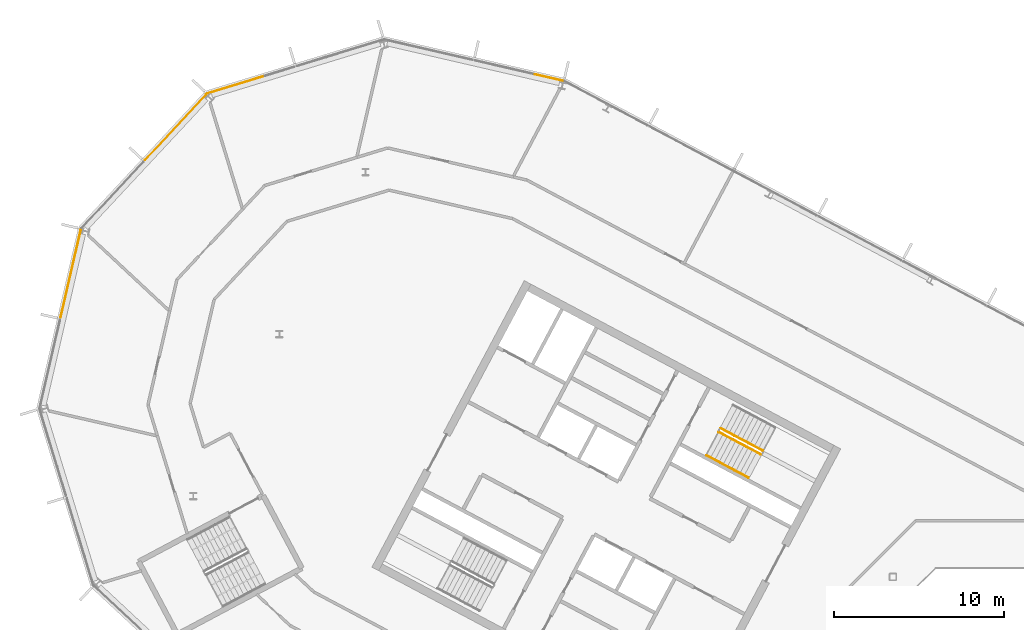
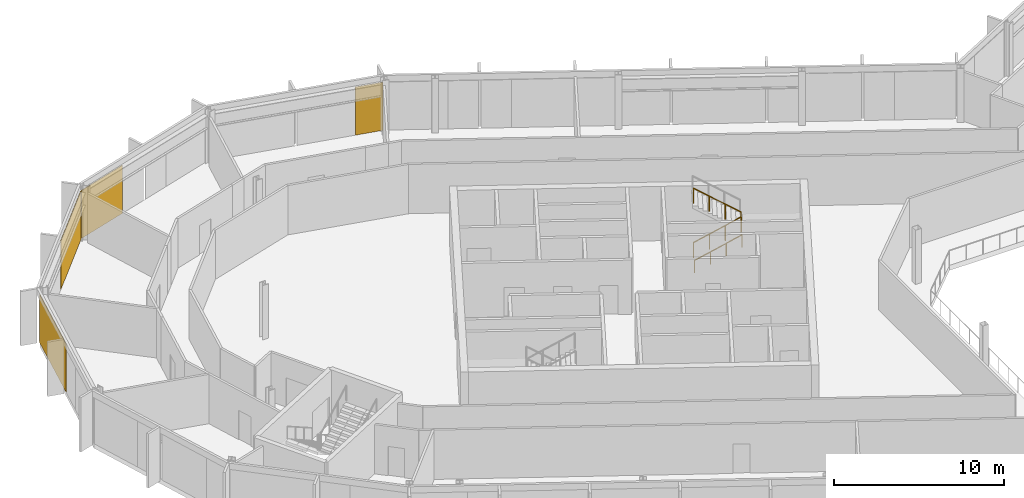
# One storey, part 21 of 25: 4 coverings, 3 railings, 4 elements without a shape of their own.
"""IFC4 building model written with IfcOpenShell, lengths in metres."""

import ifcopenshell
import ifcopenshell.guid

model = None  # the IFC model being written
_history = None  # IfcOwnerHistory: only IFC2X3 demands one
_inside = {}  # id of a spatial element -> (the spatial element, [elements in it])
_under = {}  # id of a project, library or spatial element -> (it, [spatial elements below it])
_declared = {}  # id of a project -> (the project, [libraries it declares])
_typed = {}  # id of a type object -> (the type object, [elements of that type])
_made_of = {}  # id of a material, layer set ... -> (it, [elements and type objects made of it])


def new_model(schema):
    """Start an empty IFC model of exactly this schema.

    Asked for "IFC4X3", IfcOpenShell would pick the latest addendum, in which some entities
    have other attributes; the version numbers below select the first issue.
    IFC2X3 requires an IfcOwnerHistory on every rooted entity: one is made here for all.
    """
    global model, _history
    if schema == "IFC4X3":
        model = ifcopenshell.file(schema_version=(4, 3, 0, 0))
    else:
        model = ifcopenshell.file(schema=schema)
    _inside.clear()
    _under.clear()
    _declared.clear()
    _typed.clear()
    _made_of.clear()
    _history = None
    if model.schema == "IFC2X3":
        org = make("IfcOrganization", Name="unknown")
        user = make(
            "IfcPersonAndOrganization",
            ThePerson=make("IfcPerson", FamilyName="unknown"),
            TheOrganization=org,
        )
        app = make(
            "IfcApplication",
            ApplicationDeveloper=org,
            Version="unknown",
            ApplicationFullName="unknown",
            ApplicationIdentifier="unknown",
        )
        _history = make(
            "IfcOwnerHistory",
            OwningUser=user,
            OwningApplication=app,
            ChangeAction="ADDED",
            CreationDate=0,
        )
    return model


def make(cls, **values):
    """One entity of the class cls with the attributes given. An attribute that is None is left unset."""
    return model.create_entity(
        cls, **{name: value for name, value in values.items() if value is not None}
    )


def rooted(cls, **values):
    """An entity with a GlobalId (a new one), such as an element, a storey or a relation."""
    return make(cls, GlobalId=ifcopenshell.guid.new(), OwnerHistory=_history, **values)


def si_unit(unit_type, name, prefix=None):
    """IfcSIUnit, for example si_unit("LENGTHUNIT", "METRE", prefix="MILLI")."""
    return make("IfcSIUnit", UnitType=unit_type, Prefix=prefix, Name=name)


def assignment(units):
    """IfcUnitAssignment: the units of a project."""
    return None if units is None else make("IfcUnitAssignment", Units=units)


def point(xyz):
    """IfcCartesianPoint."""
    return None if xyz is None else make("IfcCartesianPoint", Coordinates=xyz)


def direction(xyz):
    """IfcDirection."""
    return None if xyz is None else make("IfcDirection", DirectionRatios=xyz)


def frame(location, z_axis=None, x_axis=None):
    """IfcAxis2Placement3D, a coordinate frame: its origin and axes. An axis left out is left unset."""
    return make(
        "IfcAxis2Placement3D",
        Location=point(location),
        Axis=direction(z_axis),
        RefDirection=direction(x_axis),
    )


def frame_2d(location, x_axis=None):
    """IfcAxis2Placement2D, a coordinate frame in the plane: its origin and x axis."""
    return make(
        "IfcAxis2Placement2D", Location=point(location), RefDirection=direction(x_axis)
    )


def origin():
    """The frame at (0, 0, 0) with its axes left unset."""
    return frame((0.0, 0.0, 0.0))


def origin_2d():
    """The frame at (0, 0) in the plane with its x axis left unset."""
    return frame_2d((0.0, 0.0))


def place(relative_to, where):
    """IfcLocalPlacement: puts the frame where relative to a parent placement (None: the world)."""
    return make(
        "IfcLocalPlacement", PlacementRelTo=relative_to, RelativePlacement=where
    )


def context(
    kind, dimensions, precision=None, world=None, true_north=None, identifier=None
):
    """IfcGeometricRepresentationContext, for example the 3D "Model" context."""
    return make(
        "IfcGeometricRepresentationContext",
        ContextIdentifier=identifier,
        ContextType=kind,
        CoordinateSpaceDimension=dimensions,
        Precision=precision,
        WorldCoordinateSystem=world,
        TrueNorth=true_north,
    )


def subcontext(parent, identifier, kind, view, scale=None):
    """IfcGeometricRepresentationSubContext, for example "Body" below "Model"."""
    return make(
        "IfcGeometricRepresentationSubContext",
        ContextIdentifier=identifier,
        ContextType=kind,
        ParentContext=parent,
        TargetScale=scale,
        TargetView=view,
    )


def project(units=None, contexts=None):
    """IfcProject with its units and contexts."""
    return rooted(
        "IfcProject",
        Name="project",
        RepresentationContexts=contexts,
        UnitsInContext=assignment(units),
    )


def spatial(cls, under=None, at=None, **own):
    """A site, building, storey or space (cls), placed at a placement, below another one or the project."""
    s = rooted(cls, ObjectPlacement=at, **own)
    if under is not None:
        _under.setdefault(under.id(), (under, []))[1].append(s)
    return s


def polyline(points):
    """IfcPolyline through the points."""
    return make("IfcPolyline", Points=[point(p) for p in points])


def profile(cls, at=None, kind="AREA", **sizes):
    """A parametric profile (cls). Its sizes go by their IFC names, for example OverallWidth=200.0."""
    return make(cls, ProfileType=kind, Position=at, **sizes)


def rectangle(**sizes):
    """IfcRectangleProfileDef."""
    return profile("IfcRectangleProfileDef", **sizes)


def outline(outer, holes=None, kind="AREA"):
    """IfcArbitraryClosedProfileDef: a profile drawn as a closed curve; with holes, ...WithVoids."""
    if holes is None:
        return make("IfcArbitraryClosedProfileDef", ProfileType=kind, OuterCurve=outer)
    return make(
        "IfcArbitraryProfileDefWithVoids",
        ProfileType=kind,
        OuterCurve=outer,
        InnerCurves=holes,
    )


def extrude(swept, where, along, depth):
    """IfcExtrudedAreaSolid: the profile swept, set in the frame where, extruded along a direction by depth."""
    return make(
        "IfcExtrudedAreaSolid",
        SweptArea=swept,
        Position=where,
        ExtrudedDirection=direction(along),
        Depth=depth,
    )


def shape(context_of_items, identifier, shape_type, items):
    """IfcShapeRepresentation: the items that make up one representation, for example the "Body"."""
    return make(
        "IfcShapeRepresentation",
        ContextOfItems=context_of_items,
        RepresentationIdentifier=identifier,
        RepresentationType=shape_type,
        Items=items,
    )


def material(Name=None, Category=None):
    """IfcMaterial."""
    return make("IfcMaterial", Name=Name, Category=Category)


def layer(
    of_material, thickness, ventilated=None, Name=None, Category=None, Priority=None
):
    """IfcMaterialLayer: one layer of a wall or slab, of a material (None: an air gap)."""
    return make(
        "IfcMaterialLayer",
        Material=of_material,
        LayerThickness=thickness,
        IsVentilated=ventilated,
        Name=Name,
        Category=Category,
        Priority=Priority,
    )


def layer_set(layers, Name=None):
    """IfcMaterialLayerSet."""
    return make("IfcMaterialLayerSet", MaterialLayers=layers, LayerSetName=Name)


def made_of(thing, what):
    """Note that an element or type object is made of a material, layer set ...; save() writes the relation."""
    if what is not None:
        _made_of.setdefault(what.id(), (what, []))[1].append(thing)
    return thing


def type_object(cls, material=None, **own):
    """A type object (cls), such as IfcWallType, which elements share."""
    return made_of(rooted(cls, **own), material)


def element(
    cls,
    number,
    at=None,
    inside=None,
    cuts=None,
    type_object=None,
    material=None,
    context=None,
    identifier="Body",
    shape_type=None,
    held_by="IfcProductDefinitionShape",
    body=None,
    shapes=None,
    **own,
):
    """One element of the class cls, such as IfcWall. Its Tag is "e" and its number.

    at: its placement. inside: the storey or other place that contains it. cuts: it is an
    opening in that element (IfcRelVoidsElement). A single representation is given by context,
    identifier, shape_type and body (its items); several are given by shapes. held_by: the class
    of the entity that holds the representations. save() writes the other relations.
    """
    e = rooted(cls, Tag="e%d" % number, ObjectPlacement=at, **own)
    if body is not None:
        shapes = [shape(context, identifier, shape_type, body)]
    if shapes is not None:
        e.Representation = make(held_by, Representations=shapes)
    if inside is not None:
        _inside.setdefault(inside.id(), (inside, []))[1].append(e)
    if cuts is not None:
        rooted(
            "IfcRelVoidsElement", RelatingBuildingElement=cuts, RelatedOpeningElement=e
        )
    if type_object is not None:
        _typed.setdefault(type_object.id(), (type_object, []))[1].append(e)
    return made_of(e, material)


def aggregate(whole, parts):
    """IfcRelAggregates: a whole, such as a stair, and the parts it consists of."""
    return rooted("IfcRelAggregates", RelatingObject=whole, RelatedObjects=parts)


def save(model, path):
    """Write the relations noted so far, then the file.

    IfcRelAggregates (storeys below a building ...), IfcRelContainedInSpatialStructure (elements
    in a storey), IfcRelDefinesByType, IfcRelAssociatesMaterial and IfcRelDeclares: one each for
    every whole, place, type object, material and project.
    """
    for whole, parts in _under.values():
        aggregate(whole, parts)
    for where, things in _inside.values():
        rooted(
            "IfcRelContainedInSpatialStructure",
            RelatedElements=things,
            RelatingStructure=where,
        )
    for kind, things in _typed.values():
        rooted("IfcRelDefinesByType", RelatedObjects=things, RelatingType=kind)
    for what, things in _made_of.values():
        rooted("IfcRelAssociatesMaterial", RelatedObjects=things, RelatingMaterial=what)
    for by, libraries in _declared.values():
        rooted("IfcRelDeclares", RelatingContext=by, RelatedDefinitions=libraries)
    model.write(path)


model = new_model("IFC4")

# Units and contexts
model_context = context("Model", 3, precision=1e-05, world=origin(), true_north=direction((0.0, 1.0)))
body_context = subcontext(model_context, "Body", "Model", "MODEL_VIEW")
ifc_project = project(units=[si_unit("LENGTHUNIT", "METRE"), si_unit("AREAUNIT", "SQUARE_METRE"), si_unit("VOLUMEUNIT", "CUBIC_METRE"), si_unit("PLANEANGLEUNIT", "RADIAN"), si_unit("MASSUNIT", "GRAM", prefix="KILO")], contexts=[model_context])

# Site, building, storey
site_placement = place(None, origin())
site = spatial("IfcSite", under=ifc_project, at=site_placement, CompositionType="ELEMENT")
building_placement = place(site_placement, origin())
building = spatial("IfcBuilding", under=site, at=building_placement, Name="Cormorant Relay Tower", CompositionType="ELEMENT")
storey_placement = place(building_placement, frame((0.0, 0.0, 289.199951171875)))
storey = spatial("IfcBuildingStorey", under=building, at=storey_placement, Name="L65", CompositionType="ELEMENT", Elevation=289.199951171875)

# Curtain wall, covering
ifc_material_1 = material(Name="Aluminium 6063-T6 anodised bronze", Category="aluminium")
ifc_layer_1 = layer(ifc_material_1, 0.199951171875)
ifc_layer_set_1 = layer_set([ifc_layer_1], Name="CW1 unitised bronze curtain wall with vertical fins")
curtain_wall_type = type_object("IfcCurtainWallType", Name="CW1 unitised bronze curtain wall with vertical fins", PredefinedType="NOTDEFINED", material=ifc_layer_set_1)
curtain_wall_1_placement = place(storey_placement, origin())
curtain_wall_1 = element("IfcCurtainWall", 1, at=curtain_wall_1_placement, inside=storey, type_object=curtain_wall_type, Name="CW1 curtain wall 10", PredefinedType="NOTDEFINED")
ifc_material_2 = material(Name="Pale bronze anodised aluminium insulated panel", Category="aluminium")
ifc_layer_2 = layer(ifc_material_2, 0.0400390625)
ifc_layer_set_2 = layer_set([ifc_layer_2], Name="CW1 pale bronze insulated panel 40")
covering_type = type_object("IfcCoveringType", Name="CW1 pale bronze insulated panel 40", PredefinedType="CLADDING", material=ifc_layer_set_2)
covering_1_placement = place(storey_placement, frame((-30.76318359375, 39.89404296875, 0.0), z_axis=(0.0, 0.0, 1.0), x_axis=(-0.974370064785, 0.224951054344, 0.0)))
covering_1 = element("IfcCovering", 2, at=covering_1_placement, type_object=covering_type, Name="CW1 panel S00", PredefinedType="CLADDING", context=body_context, shape_type="SweptSolid", body=[
    extrude(rectangle(XDim=1.685302734375, YDim=0.0400390625, at=origin_2d()), origin(), (0.0, 0.0, 1.0), 3.449951171875),
])
aggregate(curtain_wall_1, [covering_1])

curtain_wall_2_placement = place(storey_placement, origin())
curtain_wall_2 = element("IfcCurtainWall", 3, at=curtain_wall_2_placement, inside=storey, type_object=curtain_wall_type, Name="CW1 curtain wall 11", PredefinedType="NOTDEFINED")
covering_2_placement = place(storey_placement, frame((-49.16455078125, 39.474853515625, 0.0), z_axis=(0.0, 0.0, 1.0), x_axis=(-0.956304755963, -0.292371704723, 0.0)))
covering_2 = element("IfcCovering", 4, at=covering_2_placement, type_object=covering_type, Name="CW1 panel S03", PredefinedType="CLADDING", context=body_context, shape_type="SweptSolid", body=[
    extrude(rectangle(XDim=3.560302734375, YDim=0.0400390625, at=origin_2d()), origin(), (0.0, 0.0, 1.0), 3.449951171875),
])
aggregate(curtain_wall_2, [covering_2])

curtain_wall_3_placement = place(storey_placement, origin())
curtain_wall_3 = element("IfcCurtainWall", 5, at=curtain_wall_3_placement, inside=storey, type_object=curtain_wall_type, Name="CW1 curtain wall 12", PredefinedType="NOTDEFINED")
covering_3_placement = place(storey_placement, frame((-52.72900390625, 36.961181640625, 0.0), z_axis=(0.0, 0.0, 1.0), x_axis=(-0.681998360062, -0.731353701619, 0.0)))
covering_3 = element("IfcCovering", 6, at=covering_3_placement, type_object=covering_type, Name="CW1 panel S00", PredefinedType="CLADDING", context=body_context, shape_type="SweptSolid", body=[
    extrude(rectangle(XDim=5.28515625, YDim=0.0400390625, at=origin_2d()), origin(), (0.0, 0.0, 1.0), 3.449951171875),
])
aggregate(curtain_wall_3, [covering_3])

curtain_wall_4_placement = place(storey_placement, origin())
curtain_wall_4 = element("IfcCurtainWall", 7, at=curtain_wall_4_placement, inside=storey, type_object=curtain_wall_type, Name="CW1 curtain wall 13", PredefinedType="NOTDEFINED")
covering_4_placement = place(storey_placement, frame((-58.905517578125, 28.341796875, 0.0), z_axis=(0.0, 0.0, 1.0), x_axis=(-0.224951054344, -0.974370064785, 0.0)))
covering_4 = element("IfcCovering", 8, at=covering_4_placement, type_object=covering_type, Name="CW1 panel S00", PredefinedType="CLADDING", context=body_context, shape_type="SweptSolid", body=[
    extrude(rectangle(XDim=5.28515625, YDim=0.0400390625, at=origin_2d()), origin(), (0.0, 0.0, 1.0), 3.449951171875),
])
aggregate(curtain_wall_4, [covering_4])

# Railings
ifc_material_3 = material(Name="Steel ASTM A572 Grade 50 (Fy 345 MPa)", Category="steel")
railing_type_1 = type_object("IfcRailingType", Name="Stair guard 1100", PredefinedType="GUARDRAIL", material=ifc_material_3)
railing_1_placement = place(storey_placement, frame((-20.75048828125, 19.017822265625, 0.17724609375)))
element("IfcRailing", 9, at=railing_1_placement, inside=storey, type_object=railing_type_1, Name="L65 A1 stair guard 1", PredefinedType="GUARDRAIL", context=body_context, shape_type="SweptSolid", body=[
    extrude(outline(polyline([(0.022216796875, 0.00927734375), (0.00927734375, 0.022216796875), (-0.00927734375, 0.022216796875), (-0.022216796875, 0.00927734375), (-0.022216796875, -0.00927734375), (-0.00927734375, -0.022216796875), (0.00927734375, -0.022216796875), (0.022216796875, -0.00927734375), (0.022216796875, 0.00927734375)])), frame((0.0, 0.0, 1.076171875), z_axis=(0.746001213114, -0.396649272309, 0.534931345884), x_axis=(0.469465464807, 0.882950835185, 0.0)), (0.0, 0.0, 1.0), 3.31396484375),
    extrude(outline(polyline([(0.019287109375, 0.008056640625), (0.008056640625, 0.019287109375), (-0.008056640625, 0.019287109375), (-0.019287109375, 0.008056640625), (-0.019287109375, -0.008056640625), (-0.008056640625, -0.019287109375), (0.008056640625, -0.019287109375), (0.019287109375, -0.008056640625), (0.019287109375, 0.008056640625)])), origin(), (0.0, 0.0, 1.0), 1.052001953125),
    extrude(outline(polyline([(0.019287109375, 0.008056640625), (0.008056640625, 0.019287109375), (-0.008056640625, 0.019287109375), (-0.019287109375, 0.008056640625), (-0.019287109375, -0.008056640625), (-0.008056640625, -0.019287109375), (0.008056640625, -0.019287109375), (0.019287109375, -0.008056640625), (0.019287109375, 0.008056640625)])), frame((0.823974609375, -0.438232421875, 0.5908203125)), (0.0, 0.0, 1.0), 1.052001953125),
    extrude(outline(polyline([(0.019287109375, 0.008056640625), (0.008056640625, 0.019287109375), (-0.008056640625, 0.019287109375), (-0.019287109375, 0.008056640625), (-0.019287109375, -0.008056640625), (-0.008056640625, -0.019287109375), (0.008056640625, -0.019287109375), (0.019287109375, -0.008056640625), (0.019287109375, 0.008056640625)])), frame((1.648193359375, -0.876220703125, 1.181884765625)), (0.0, 0.0, 1.0), 1.052001953125),
    extrude(outline(polyline([(0.019287109375, 0.008056640625), (0.008056640625, 0.019287109375), (-0.008056640625, 0.019287109375), (-0.019287109375, 0.008056640625), (-0.019287109375, -0.008056640625), (-0.008056640625, -0.019287109375), (0.008056640625, -0.019287109375), (0.019287109375, -0.008056640625), (0.019287109375, 0.008056640625)])), frame((2.47216796875, -1.314453125, 1.772705078125)), (0.0, 0.0, 1.0), 1.052001953125),
])
railing_2_placement = place(storey_placement, frame((-18.160888671875, 17.924072265625, 2.12744140625)))
element("IfcRailing", 10, at=railing_2_placement, inside=storey, type_object=railing_type_1, Name="L65 A1 stair guard 3", PredefinedType="GUARDRAIL", context=body_context, shape_type="SweptSolid", body=[
    extrude(outline(polyline([(0.022216796875, 0.00927734375), (0.00927734375, 0.022216796875), (-0.00927734375, 0.022216796875), (-0.022216796875, 0.00927734375), (-0.022216796875, -0.00927734375), (-0.00927734375, -0.022216796875), (0.00927734375, -0.022216796875), (0.022216796875, -0.00927734375), (0.022216796875, 0.00927734375)])), frame((0.0, 0.0, 1.076171875), z_axis=(-0.746033882577, 0.396627473466, 0.534901947407), x_axis=(-0.469429322983, -0.882970050864, 0.0)), (0.0, 0.0, 1.0), 3.31396484375),
    extrude(outline(polyline([(0.019287109375, 0.008056640625), (0.008056640625, 0.019287109375), (-0.008056640625, 0.019287109375), (-0.019287109375, 0.008056640625), (-0.019287109375, -0.008056640625), (-0.008056640625, -0.019287109375), (0.008056640625, -0.019287109375), (0.019287109375, -0.008056640625), (0.019287109375, 0.008056640625)])), origin(), (0.0, 0.0, 1.0), 1.052001953125),
    extrude(outline(polyline([(0.019287109375, 0.008056640625), (0.008056640625, 0.019287109375), (-0.008056640625, 0.019287109375), (-0.019287109375, 0.008056640625), (-0.019287109375, -0.008056640625), (-0.008056640625, -0.019287109375), (0.008056640625, -0.019287109375), (0.019287109375, -0.008056640625), (0.019287109375, 0.008056640625)])), frame((-0.82421875, 0.438232421875, 0.5908203125)), (0.0, 0.0, 1.0), 1.052001953125),
    extrude(outline(polyline([(0.019287109375, 0.008056640625), (0.008056640625, 0.019287109375), (-0.008056640625, 0.019287109375), (-0.019287109375, 0.008056640625), (-0.019287109375, -0.008056640625), (-0.008056640625, -0.019287109375), (0.008056640625, -0.019287109375), (0.019287109375, -0.008056640625), (0.019287109375, 0.008056640625)])), frame((-1.648193359375, 0.876220703125, 1.181884765625)), (0.0, 0.0, 1.0), 1.052001953125),
    extrude(outline(polyline([(0.019287109375, 0.008056640625), (0.008056640625, 0.019287109375), (-0.008056640625, 0.019287109375), (-0.019287109375, 0.008056640625), (-0.019287109375, -0.008056640625), (-0.008056640625, -0.019287109375), (0.008056640625, -0.019287109375), (0.019287109375, -0.008056640625), (0.019287109375, 0.008056640625)])), frame((-2.472412109375, 1.314453125, 1.772705078125)), (0.0, 0.0, 1.0), 1.052001953125),
])
ifc_material_4 = material(Name="Steel ASTM A572 Grade 50 (Fy 345 MPa)", Category="steel")
railing_type_2 = type_object("IfcRailingType", Name="Stair handrail 900", PredefinedType="HANDRAIL", material=ifc_material_4)
railing_3_placement = place(storey_placement, frame((-21.478271484375, 17.6494140625, 0.17724609375)))
element("IfcRailing", 11, at=railing_3_placement, inside=storey, type_object=railing_type_2, Name="L65 A1 stair handrail 1", PredefinedType="HANDRAIL", context=body_context, shape_type="SweptSolid", body=[
    extrude(outline(polyline([(0.022216796875, 0.00927734375), (0.00927734375, 0.022216796875), (-0.00927734375, 0.022216796875), (-0.022216796875, 0.00927734375), (-0.022216796875, -0.00927734375), (-0.00927734375, -0.022216796875), (0.00927734375, -0.022216796875), (0.022216796875, -0.00927734375), (0.022216796875, 0.00927734375)])), frame((0.0, 0.0, 0.8759765625), z_axis=(0.746012083385, -0.396689549623, 0.534886317514), x_axis=(0.469497295046, 0.882933910293, 0.0)), (0.0, 0.0, 1.0), 3.314208984375),
    extrude(outline(polyline([(0.019287109375, 0.008056640625), (0.008056640625, 0.019287109375), (-0.008056640625, 0.019287109375), (-0.019287109375, 0.008056640625), (-0.019287109375, -0.008056640625), (-0.008056640625, -0.019287109375), (0.008056640625, -0.019287109375), (0.019287109375, -0.008056640625), (0.019287109375, 0.008056640625)])), origin(), (0.0, 0.0, 1.0), 0.851806640625),
    extrude(outline(polyline([(0.019287109375, 0.008056640625), (0.008056640625, 0.019287109375), (-0.008056640625, 0.019287109375), (-0.019287109375, 0.008056640625), (-0.019287109375, -0.008056640625), (-0.008056640625, -0.019287109375), (0.008056640625, -0.019287109375), (0.019287109375, -0.008056640625), (0.019287109375, 0.008056640625)])), frame((0.82421875, -0.438232421875, 0.5908203125)), (0.0, 0.0, 1.0), 0.851806640625),
    extrude(outline(polyline([(0.019287109375, 0.008056640625), (0.008056640625, 0.019287109375), (-0.008056640625, 0.019287109375), (-0.019287109375, 0.008056640625), (-0.019287109375, -0.008056640625), (-0.008056640625, -0.019287109375), (0.008056640625, -0.019287109375), (0.019287109375, -0.008056640625), (0.019287109375, 0.008056640625)])), frame((1.648193359375, -0.87646484375, 1.181884765625)), (0.0, 0.0, 1.0), 0.851806640625),
    extrude(outline(polyline([(0.019287109375, 0.008056640625), (0.008056640625, 0.019287109375), (-0.008056640625, 0.019287109375), (-0.019287109375, 0.008056640625), (-0.019287109375, -0.008056640625), (-0.008056640625, -0.019287109375), (0.008056640625, -0.019287109375), (0.019287109375, -0.008056640625), (0.019287109375, 0.008056640625)])), frame((2.472412109375, -1.314697265625, 1.772705078125)), (0.0, 0.0, 1.0), 0.851806640625),
])

save(model, "model.ifc")
